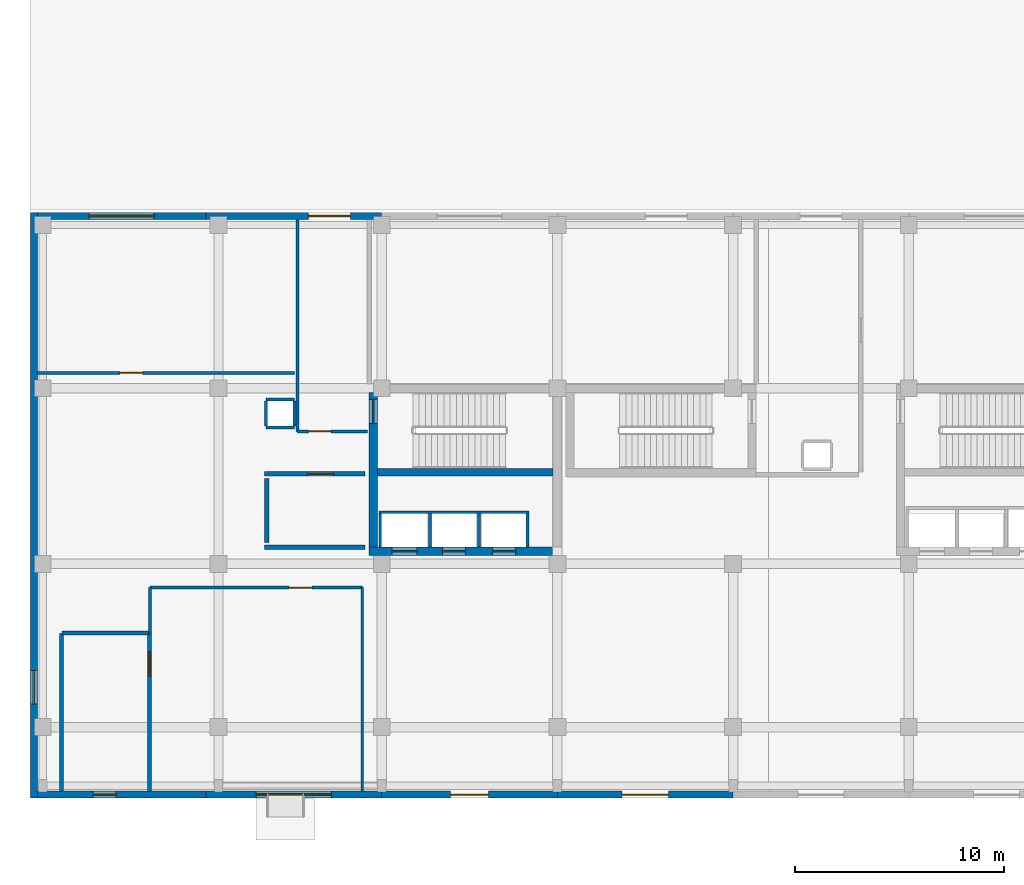
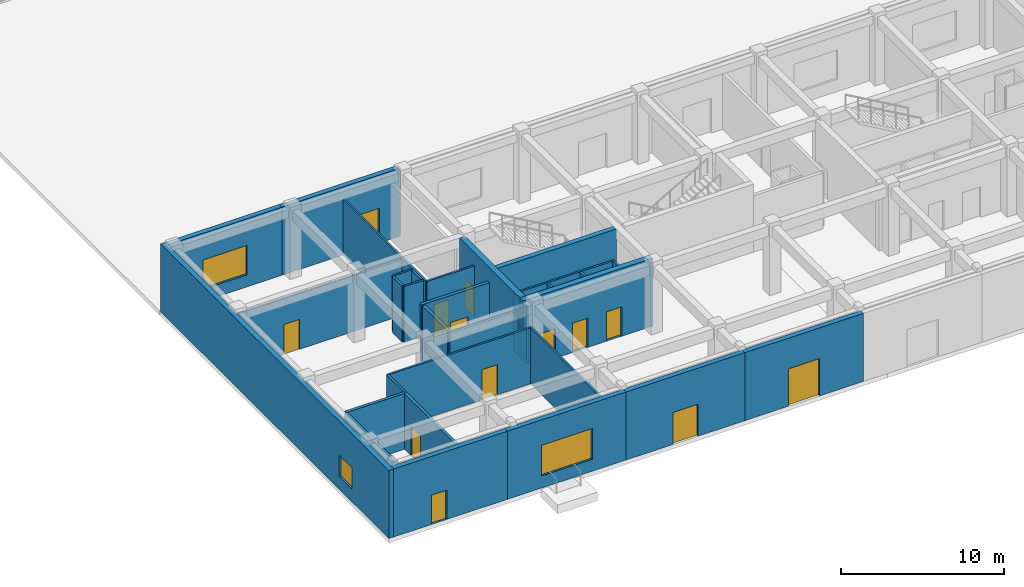
# One storey, part 91 of 122: 31 walls, 13 doors, 3 windows, 16 openings.
"""IFC4 building model written with IfcOpenShell, lengths in metres."""

from ifc_helpers import new_model, si_unit, direction, frame, frame_2d, origin, place, context, subcontext, project, spatial, rectangle, extrude, material, layer, layer_set, type_object, element, fill, save


model = new_model("IFC4")

# Units and contexts
model_context = context("Model", 3, precision=1e-05, world=origin(), true_north=direction((0.0, 1.0)))
body_context = subcontext(model_context, "Body", "Model", "MODEL_VIEW")
ifc_project = project(units=[si_unit("LENGTHUNIT", "METRE"), si_unit("AREAUNIT", "SQUARE_METRE"), si_unit("VOLUMEUNIT", "CUBIC_METRE"), si_unit("PLANEANGLEUNIT", "RADIAN"), si_unit("MASSUNIT", "GRAM", prefix="KILO")], contexts=[model_context])

# Site, building, storey
site_placement = place(None, origin())
site = spatial("IfcSite", under=ifc_project, at=site_placement, CompositionType="ELEMENT")
building_placement = place(site_placement, origin())
building = spatial("IfcBuilding", under=site, at=building_placement, Name="Zayran Congress Hotel", CompositionType="ELEMENT")
storey_placement = place(building_placement, origin())
storey = spatial("IfcBuildingStorey", under=building, at=storey_placement, Name="L00", CompositionType="ELEMENT", Elevation=0.0)

# Wall, opening, door
ifc_material_1 = material(Name="Hajar Ma'ani limestone and insulated concrete C32/40", Category="masonry")
ifc_layer_1 = layer(ifc_material_1, 0.340087890625)
ifc_layer_set_1 = layer_set([ifc_layer_1], Name="Hajar Ma'ani limestone and insulated concrete C32/40")
wall_type_1 = type_object("IfcWallType", Name="WL-EX-340", PredefinedType="SOLIDWALL", material=ifc_layer_set_1)
wall_1_placement = place(storey_placement, frame((16.800048828125, 6.169921875, 0.0), z_axis=(0.0, 0.0, 1.0), x_axis=(-1.0, 0.0, 0.0)))
wall_1 = element("IfcWall", 1, at=wall_1_placement, inside=storey, type_object=wall_type_1, Name="EW-V5-S-L00-0", PredefinedType="SOLIDWALL", context=body_context, shape_type="SweptSolid", body=[
    extrude(rectangle(XDim=8.06005859375, YDim=0.340087890625, at=frame_2d((4.030029296875, 0.0))), origin(), (0.0, 0.0, 1.0), 5.10009765625),
])
opening_1_placement = place(wall_1_placement, frame((4.300048828125, 0.0, 0.0)))
opening_1 = element("IfcOpeningElement", 2, at=opening_1_placement, cuts=wall_1, Name="Opening DEX-06", PredefinedType="OPENING", context=body_context, shape_type="SweptSolid", body=[
    extrude(rectangle(XDim=1.10009765625, YDim=2.199951171875, at=frame_2d((0.550048828125, 1.10009765625))), frame((0.0, 0.179931640625, 0.0), z_axis=(0.0, -1.0, 0.0), x_axis=(1.0, 0.0, 0.0)), (0.0, 0.0, 1.0), 0.360107421875),
])
ifc_material_2 = material(Name="Painted steel fire exit door assembly", Category="steel")
door_type_1 = type_object("IfcDoorType", Name="TP-DEX-06", OperationType="NOTDEFINED", PredefinedType="DOOR", material=ifc_material_2)
door_1_placement = place(opening_1_placement, origin())
door_1 = element("IfcDoor", 3, at=door_1_placement, inside=storey, type_object=door_type_1, Name="Fire Command Centre Exterior Access Door", OperationType="SINGLE_SWING_LEFT", OverallHeight=2.199951171875, OverallWidth=1.10009765625, PredefinedType="DOOR", context=body_context, shape_type="SweptSolid", body=[
    extrude(rectangle(XDim=1.10009765625, YDim=2.199951171875, at=frame_2d((0.550048828125, 1.10009765625))), frame((0.0, 0.02490234375, 0.0), z_axis=(0.0, -1.0, 0.0), x_axis=(1.0, 0.0, 0.0)), (0.0, 0.0, 1.0), 0.050048828125),
])
fill(opening_1, door_1)

# Wall, opening, window
wall_2_placement = place(storey_placement, frame((8.739990234375, 33.830078125, 0.0), z_axis=(0.0, 0.0, 1.0), x_axis=(1.0, 0.0, 0.0)))
wall_2 = element("IfcWall", 4, at=wall_2_placement, inside=storey, type_object=wall_type_1, Name="EW-V5-N-L00-0", PredefinedType="SOLIDWALL", context=body_context, shape_type="SweptSolid", body=[
    extrude(rectangle(XDim=8.06005859375, YDim=0.340087890625, at=frame_2d((4.030029296875, 0.0))), origin(), (0.0, 0.0, 1.0), 5.10009765625),
])
opening_2_placement = place(wall_2_placement, frame((2.47998046875, 0.0, 0.89990234375)))
opening_2 = element("IfcOpeningElement", 5, at=opening_2_placement, cuts=wall_2, Name="Opening WN-20", PredefinedType="OPENING", context=body_context, shape_type="SweptSolid", body=[
    extrude(rectangle(XDim=3.10009765625, YDim=2.199951171875, at=frame_2d((1.550048828125, 1.10009765625))), frame((0.0, 0.179931640625, 0.0), z_axis=(0.0, -1.0, 0.0), x_axis=(1.0, 0.0, 0.0)), (0.0, 0.0, 1.0), 0.360107421875),
])
ifc_material_3 = material(Name="Anodised aluminium and low-E insulated glass", Category="aluminium")
window_type_1 = type_object("IfcWindowType", Name="TP-WN-20", PartitioningType="TRIPLE_PANEL_VERTICAL", PredefinedType="WINDOW", material=ifc_material_3)
window_1_placement = place(opening_2_placement, origin())
window_1 = element("IfcWindow", 6, at=window_1_placement, inside=storey, type_object=window_type_1, Name="WIN-V5-L00N-0", OverallHeight=2.199951171875, OverallWidth=3.10009765625, PartitioningType="SINGLE_PANEL", PredefinedType="WINDOW", context=body_context, shape_type="SweptSolid", body=[
    extrude(rectangle(XDim=3.10009765625, YDim=2.199951171875, at=frame_2d((1.550048828125, 1.10009765625))), frame((0.0, 0.030029296875, 0.0), z_axis=(0.0, -1.0, 0.0), x_axis=(1.0, 0.0, 0.0)), (0.0, 0.0, 1.0), 0.06005859375),
])
fill(opening_2, window_1)

wall_3_placement = place(storey_placement, frame((25.199951171875, 6.169921875, 0.0), z_axis=(0.0, 0.0, 1.0), x_axis=(-1.0, 0.0, 0.0)))
wall_3 = element("IfcWall", 7, at=wall_3_placement, inside=storey, type_object=wall_type_1, Name="EW-V5-S-L00-1", PredefinedType="SOLIDWALL", context=body_context, shape_type="SweptSolid", body=[
    extrude(rectangle(XDim=8.39990234375, YDim=0.340087890625, at=frame_2d((4.199951171875, 0.0))), origin(), (0.0, 0.0, 1.0), 5.10009765625),
])
opening_3_placement = place(wall_3_placement, frame((2.39990234375, 0.0, 0.89990234375)))
opening_3 = element("IfcOpeningElement", 8, at=opening_3_placement, cuts=wall_3, Name="Opening WN-21", PredefinedType="OPENING", context=body_context, shape_type="SweptSolid", body=[
    extrude(rectangle(XDim=3.60009765625, YDim=2.300048828125, at=frame_2d((1.800048828125, 1.14990234375))), frame((0.0, 0.179931640625, 0.0), z_axis=(0.0, -1.0, 0.0), x_axis=(1.0, 0.0, 0.0)), (0.0, 0.0, 1.0), 0.360107421875),
])
window_type_2 = type_object("IfcWindowType", Name="TP-WN-21", PartitioningType="TRIPLE_PANEL_VERTICAL", PredefinedType="WINDOW", material=ifc_material_3)
window_2_placement = place(opening_3_placement, origin())
window_2 = element("IfcWindow", 9, at=window_2_placement, inside=storey, type_object=window_type_2, Name="WIN-V5-L00S-1", OverallHeight=2.300048828125, OverallWidth=3.60009765625, PartitioningType="SINGLE_PANEL", PredefinedType="WINDOW", context=body_context, shape_type="SweptSolid", body=[
    extrude(rectangle(XDim=3.60009765625, YDim=2.300048828125, at=frame_2d((1.800048828125, 1.14990234375))), frame((0.0, 0.030029296875, 0.0), z_axis=(0.0, -1.0, 0.0), x_axis=(1.0, 0.0, 0.0)), (0.0, 0.0, 1.0), 0.06005859375),
])
fill(opening_3, window_2)

# Wall, opening, door
wall_4_placement = place(storey_placement, frame((16.800048828125, 33.830078125, 0.0), z_axis=(0.0, 0.0, 1.0), x_axis=(1.0, 0.0, 0.0)))
wall_4 = element("IfcWall", 10, at=wall_4_placement, inside=storey, type_object=wall_type_1, Name="EW-V5-N-L00-1", PredefinedType="SOLIDWALL", context=body_context, shape_type="SweptSolid", body=[
    extrude(rectangle(XDim=8.39990234375, YDim=0.340087890625, at=frame_2d((4.199951171875, 0.0))), origin(), (0.0, 0.0, 1.0), 5.10009765625),
])
opening_4_placement = place(wall_4_placement, frame((4.89990234375, 0.0, 0.0)))
opening_4 = element("IfcOpeningElement", 11, at=opening_4_placement, cuts=wall_4, Name="Opening DEX-02", PredefinedType="OPENING", context=body_context, shape_type="SweptSolid", body=[
    extrude(rectangle(XDim=2.0, YDim=2.60009765625, at=frame_2d((1.0, 1.300048828125))), frame((0.0, 0.179931640625, 0.0), z_axis=(0.0, -1.0, 0.0), x_axis=(1.0, 0.0, 0.0)), (0.0, 0.0, 1.0), 0.360107421875),
])
ifc_material_4 = material(Name="Anodised aluminium glazed entrance door", Category="aluminium")
door_type_2 = type_object("IfcDoorType", Name="TP-DEX-02", OperationType="DOUBLE_DOOR_SINGLE_SWING", PredefinedType="DOOR", material=ifc_material_4)
door_2_placement = place(opening_4_placement, origin())
door_2 = element("IfcDoor", 12, at=door_2_placement, inside=storey, type_object=door_type_2, Name="Hotel Forecourt Exit Door 34", OperationType="DOUBLE_DOOR_SINGLE_SWING", OverallHeight=2.60009765625, OverallWidth=2.0, PredefinedType="DOOR", context=body_context, shape_type="SweptSolid", body=[
    extrude(rectangle(XDim=2.0, YDim=2.60009765625, at=frame_2d((1.0, 1.300048828125))), frame((0.0, 0.02490234375, 0.0), z_axis=(0.0, -1.0, 0.0), x_axis=(1.0, 0.0, 0.0)), (0.0, 0.0, 1.0), 0.050048828125),
])
fill(opening_4, door_2)

wall_5_placement = place(storey_placement, frame((33.60009765625, 6.169921875, 0.0), z_axis=(0.0, 0.0, 1.0), x_axis=(-1.0, 0.0, 0.0)))
wall_5 = element("IfcWall", 13, at=wall_5_placement, inside=storey, type_object=wall_type_1, Name="EW-V5-S-L00-2", PredefinedType="SOLIDWALL", context=body_context, shape_type="SweptSolid", body=[
    extrude(rectangle(XDim=8.400146484375, YDim=0.340087890625, at=frame_2d((4.2001953125, 0.0))), origin(), (0.0, 0.0, 1.0), 5.10009765625),
])
opening_5_placement = place(wall_5_placement, frame((3.300048828125, 0.0, 0.0)))
opening_5 = element("IfcOpeningElement", 14, at=opening_5_placement, cuts=wall_5, Name="Opening DEX-03", PredefinedType="OPENING", context=body_context, shape_type="SweptSolid", body=[
    extrude(rectangle(XDim=1.800048828125, YDim=2.39990234375, at=frame_2d((0.89990234375, 1.199951171875))), frame((0.0, 0.179931640625, 0.0), z_axis=(0.0, -1.0, 0.0), x_axis=(1.0, 0.0, 0.0)), (0.0, 0.0, 1.0), 0.360107421875),
])
door_type_3 = type_object("IfcDoorType", Name="TP-DEX-03", OperationType="DOUBLE_DOOR_SINGLE_SWING", PredefinedType="DOOR", material=ifc_material_2)
door_3_placement = place(opening_5_placement, origin())
door_3 = element("IfcDoor", 15, at=door_3_placement, inside=storey, type_object=door_type_3, Name="Hotel South Avenue Final Exit Door 35", OperationType="DOUBLE_DOOR_SINGLE_SWING", OverallHeight=2.39990234375, OverallWidth=1.800048828125, PredefinedType="DOOR", context=body_context, shape_type="SweptSolid", body=[
    extrude(rectangle(XDim=1.800048828125, YDim=2.39990234375, at=frame_2d((0.89990234375, 1.199951171875))), frame((0.0, 0.02490234375, 0.0), z_axis=(0.0, -1.0, 0.0), x_axis=(1.0, 0.0, 0.0)), (0.0, 0.0, 1.0), 0.050048828125),
])
fill(opening_5, door_3)

wall_6_placement = place(storey_placement, frame((42.0, 6.169921875, 0.0), z_axis=(0.0, 0.0, 1.0), x_axis=(-1.0, 0.0, 0.0)))
wall_6 = element("IfcWall", 16, at=wall_6_placement, inside=storey, type_object=wall_type_1, Name="EW-V5-S-L00-3", PredefinedType="SOLIDWALL", context=body_context, shape_type="SweptSolid", body=[
    extrude(rectangle(XDim=8.39990234375, YDim=0.340087890625, at=frame_2d((4.199951171875, 0.0))), origin(), (0.0, 0.0, 1.0), 5.10009765625),
])
opening_6_placement = place(wall_6_placement, frame((3.10009765625, 0.0, 0.0)))
opening_6 = element("IfcOpeningElement", 17, at=opening_6_placement, cuts=wall_6, Name="Opening DEX-01", PredefinedType="OPENING", context=body_context, shape_type="SweptSolid", body=[
    extrude(rectangle(XDim=2.199951171875, YDim=2.800048828125, at=frame_2d((1.10009765625, 1.39990234375))), frame((0.0, 0.179931640625, 0.0), z_axis=(0.0, -1.0, 0.0), x_axis=(1.0, 0.0, 0.0)), (0.0, 0.0, 1.0), 0.360107421875),
])
door_type_4 = type_object("IfcDoorType", Name="TP-DEX-01", OperationType="DOUBLE_DOOR_SINGLE_SWING", PredefinedType="DOOR", material=ifc_material_4)
door_4_placement = place(opening_6_placement, origin())
door_4 = element("IfcDoor", 18, at=door_4_placement, inside=storey, type_object=door_type_4, Name="Hotel South Avenue Final Exit Door 36", OperationType="DOUBLE_DOOR_SINGLE_SWING", OverallHeight=2.800048828125, OverallWidth=2.199951171875, PredefinedType="DOOR", context=body_context, shape_type="SweptSolid", body=[
    extrude(rectangle(XDim=2.199951171875, YDim=2.800048828125, at=frame_2d((1.10009765625, 1.39990234375))), frame((0.0, 0.02490234375, 0.0), z_axis=(0.0, -1.0, 0.0), x_axis=(1.0, 0.0, 0.0)), (0.0, 0.0, 1.0), 0.050048828125),
])
fill(opening_6, door_4)

# Wall, opening, window
wall_7_placement = place(storey_placement, frame((8.570068359375, 6.0, 0.0), z_axis=(0.0, 0.0, 1.0), x_axis=(0.0, 1.0, 0.0)))
wall_7 = element("IfcWall", 19, at=wall_7_placement, inside=storey, type_object=wall_type_1, Name="EW-V5-W-L00", PredefinedType="SOLIDWALL", context=body_context, shape_type="SweptSolid", body=[
    extrude(rectangle(XDim=28.0, YDim=0.340087890625, at=frame_2d((14.0, 0.0))), origin(), (0.0, 0.0, 1.0), 5.10009765625),
])
opening_7_placement = place(wall_7_placement, frame((4.5, 0.0, 0.949951171875)))
opening_7 = element("IfcOpeningElement", 20, at=opening_7_placement, cuts=wall_7, Name="Opening WN-15", PredefinedType="OPENING", context=body_context, shape_type="SweptSolid", body=[
    extrude(rectangle(XDim=1.60009765625, YDim=1.60009765625, at=frame_2d((0.800048828125, 0.800048828125))), frame((0.0, 0.179931640625, 0.0), z_axis=(0.0, -1.0, 0.0), x_axis=(1.0, 0.0, 0.0)), (0.0, 0.0, 1.0), 0.360107421875),
])
window_type_3 = type_object("IfcWindowType", Name="TP-WN-15", PartitioningType="SINGLE_PANEL", PredefinedType="WINDOW", material=ifc_material_3)
window_3_placement = place(opening_7_placement, origin())
window_3 = element("IfcWindow", 21, at=window_3_placement, inside=storey, type_object=window_type_3, Name="WIN-V5W-L00", OverallHeight=1.60009765625, OverallWidth=1.60009765625, PartitioningType="SINGLE_PANEL", PredefinedType="WINDOW", context=body_context, shape_type="SweptSolid", body=[
    extrude(rectangle(XDim=1.60009765625, YDim=1.60009765625, at=frame_2d((0.800048828125, 0.800048828125))), frame((0.0, 0.030029296875, 0.0), z_axis=(0.0, -1.0, 0.0), x_axis=(1.0, 0.0, 0.0)), (0.0, 0.0, 1.0), 0.06005859375),
])
fill(opening_7, window_3)

# Wall, openings, doors
ifc_material_5 = material(Name="Concrete C40/50", Category="concrete")
ifc_layer_2 = layer(ifc_material_5, 0.39990234375)
ifc_layer_set_2 = layer_set([ifc_layer_2], Name="Concrete C40/50")
wall_type_2 = type_object("IfcWallType", Name="WL-SH-400", PredefinedType="SHEAR", material=ifc_layer_set_2)
wall_8_placement = place(storey_placement, frame((24.60009765625, 17.800048828125, 0.0), z_axis=(0.0, 0.0, 1.0), x_axis=(1.0, 0.0, 0.0)))
wall_8 = element("IfcWall", 22, at=wall_8_placement, inside=storey, type_object=wall_type_2, Name="CWALL-C-V5W-L00-S", PredefinedType="SHEAR", context=body_context, shape_type="SweptSolid", body=[
    extrude(rectangle(XDim=9.199951171875, YDim=0.39990234375, at=frame_2d((4.60009765625, 0.0))), origin(), (0.0, 0.0, 1.0), 5.080078125),
])
opening_8_placement = place(wall_8_placement, frame((1.10009765625, 0.0, 0.0)))
opening_8 = element("IfcOpeningElement", 23, at=opening_8_placement, cuts=wall_8, Name="Opening LD-FL01", PredefinedType="OPENING", context=body_context, shape_type="SweptSolid", body=[
    extrude(rectangle(XDim=1.199951171875, YDim=2.199951171875, at=frame_2d((0.60009765625, 1.10009765625))), frame((0.0, 0.2099609375, 0.0), z_axis=(0.0, -1.0, 0.0), x_axis=(1.0, 0.0, 0.0)), (0.0, 0.0, 1.0), 0.419921875),
])
opening_9_placement = place(wall_8_placement, frame((3.5, 0.0, 0.0)))
opening_9 = element("IfcOpeningElement", 24, at=opening_9_placement, cuts=wall_8, Name="Opening LD-PL01", PredefinedType="OPENING", context=body_context, shape_type="SweptSolid", body=[
    extrude(rectangle(XDim=1.10009765625, YDim=2.199951171875, at=frame_2d((0.550048828125, 1.10009765625))), frame((0.0, 0.2099609375, 0.0), z_axis=(0.0, -1.0, 0.0), x_axis=(1.0, 0.0, 0.0)), (0.0, 0.0, 1.0), 0.419921875),
])
opening_10_placement = place(wall_8_placement, frame((5.89990234375, 0.0, 0.0)))
opening_10 = element("IfcOpeningElement", 25, at=opening_10_placement, cuts=wall_8, Name="Opening LD-PL02", PredefinedType="OPENING", context=body_context, shape_type="SweptSolid", body=[
    extrude(rectangle(XDim=1.10009765625, YDim=2.199951171875, at=frame_2d((0.550048828125, 1.10009765625))), frame((0.0, 0.2099609375, 0.0), z_axis=(0.0, -1.0, 0.0), x_axis=(1.0, 0.0, 0.0)), (0.0, 0.0, 1.0), 0.419921875),
])
ifc_material_6 = material(Name="Brushed stainless steel sliding lift landing door", Category="steel")
door_type_5 = type_object("IfcDoorType", Name="TP-DR-LD-01", OperationType="DOUBLE_DOOR_SLIDING", PredefinedType="DOOR", material=ifc_material_6)
door_5_placement = place(opening_9_placement, origin())
door_5 = element("IfcDoor", 26, at=door_5_placement, inside=storey, type_object=door_type_5, Name="Lift PL-01 Sliding Landing Door L00", OperationType="DOUBLE_DOOR_SLIDING", OverallHeight=2.199951171875, OverallWidth=1.10009765625, PredefinedType="DOOR", context=body_context, shape_type="SweptSolid", body=[
    extrude(rectangle(XDim=1.10009765625, YDim=2.199951171875, at=frame_2d((0.550048828125, 1.10009765625))), frame((0.0, 0.02490234375, 0.0), z_axis=(0.0, -1.0, 0.0), x_axis=(1.0, 0.0, 0.0)), (0.0, 0.0, 1.0), 0.050048828125),
])
fill(opening_9, door_5)
door_6_placement = place(opening_10_placement, origin())
door_6 = element("IfcDoor", 27, at=door_6_placement, inside=storey, type_object=door_type_5, Name="Lift PL-02 Sliding Landing Door L00", OperationType="DOUBLE_DOOR_SLIDING", OverallHeight=2.199951171875, OverallWidth=1.10009765625, PredefinedType="DOOR", context=body_context, shape_type="SweptSolid", body=[
    extrude(rectangle(XDim=1.10009765625, YDim=2.199951171875, at=frame_2d((0.550048828125, 1.10009765625))), frame((0.0, 0.02490234375, 0.0), z_axis=(0.0, -1.0, 0.0), x_axis=(1.0, 0.0, 0.0)), (0.0, 0.0, 1.0), 0.050048828125),
])
fill(opening_10, door_6)
ifc_material_7 = material(Name="Brushed stainless steel firefighting lift landing door", Category="steel")
door_type_6 = type_object("IfcDoorType", Name="TP-DR-LD-02", OperationType="DOUBLE_DOOR_SLIDING", PredefinedType="DOOR", material=ifc_material_7)
door_7_placement = place(opening_8_placement, origin())
door_7 = element("IfcDoor", 28, at=door_7_placement, inside=storey, type_object=door_type_6, Name="Lift FL-01 Sliding Landing Door L00", OperationType="DOUBLE_DOOR_SLIDING", OverallHeight=2.199951171875, OverallWidth=1.199951171875, PredefinedType="DOOR", context=body_context, shape_type="SweptSolid", body=[
    extrude(rectangle(XDim=1.199951171875, YDim=2.199951171875, at=frame_2d((0.60009765625, 1.10009765625))), frame((0.0, 0.02490234375, 0.0), z_axis=(0.0, -1.0, 0.0), x_axis=(1.0, 0.0, 0.0)), (0.0, 0.0, 1.0), 0.050048828125),
])
fill(opening_8, door_7)

# Wall, opening, door
wall_9_placement = place(storey_placement, frame((24.800048828125, 25.39990234375, 0.0), z_axis=(0.0, 0.0, 1.0), x_axis=(0.0, -1.0, 0.0)))
wall_9 = element("IfcWall", 29, at=wall_9_placement, inside=storey, type_object=wall_type_2, Name="CWALL-C-V5W-L00-W", PredefinedType="SHEAR", context=body_context, shape_type="SweptSolid", body=[
    extrude(rectangle(XDim=7.39990234375, YDim=0.39990234375, at=frame_2d((3.699951171875, 0.0))), origin(), (0.0, 0.0, 1.0), 5.080078125),
])
opening_11_placement = place(wall_9_placement, frame((0.35009765625, 0.0, 0.0)))
opening_11 = element("IfcOpeningElement", 30, at=opening_11_placement, cuts=wall_9, Name="Opening DR-FD-90", PredefinedType="OPENING", context=body_context, shape_type="SweptSolid", body=[
    extrude(rectangle(XDim=1.14990234375, YDim=2.199951171875, at=frame_2d((0.574951171875, 1.10009765625))), frame((0.0, 0.2099609375, 0.0), z_axis=(0.0, -1.0, 0.0), x_axis=(1.0, 0.0, 0.0)), (0.0, 0.0, 1.0), 0.419921875),
])
ifc_material_8 = material(Name="Painted steel fire door assembly", Category="steel")
door_type_7 = type_object("IfcDoorType", Name="TP-DR-FD-90", OperationType="NOTDEFINED", PredefinedType="DOOR", material=ifc_material_8)
door_8_placement = place(opening_11_placement, origin())
door_8 = element("IfcDoor", 31, at=door_8_placement, inside=storey, type_object=door_type_7, Name="ST-01 Exit Stair Door L00", OperationType="SINGLE_SWING_LEFT", OverallHeight=2.199951171875, OverallWidth=1.14990234375, PredefinedType="DOOR", context=body_context, shape_type="SweptSolid", body=[
    extrude(rectangle(XDim=1.14990234375, YDim=2.199951171875, at=frame_2d((0.574951171875, 1.10009765625))), frame((0.0, 0.02490234375, 0.0), z_axis=(0.0, -1.0, 0.0), x_axis=(1.0, 0.0, 0.0)), (0.0, 0.0, 1.0), 0.050048828125),
])
fill(opening_11, door_8)

# Walls
ifc_layer_3 = layer(ifc_material_5, 0.35009765625)
ifc_layer_set_3 = layer_set([ifc_layer_3], Name="Concrete C40/50")
wall_type_3 = type_object("IfcWallType", Name="WL-SH-350", PredefinedType="SHEAR", material=ifc_layer_set_3)
wall_10_placement = place(storey_placement, frame((25.0, 21.5849609375, 0.0), z_axis=(0.0, 0.0, 1.0), x_axis=(1.0, 0.0, 0.0)))
element("IfcWall", 32, at=wall_10_placement, inside=storey, type_object=wall_type_3, Name="CWALL-C-V5W-L00-SPN", PredefinedType="SHEAR", context=body_context, shape_type="SweptSolid", body=[
    extrude(rectangle(XDim=8.39990234375, YDim=0.35009765625, at=frame_2d((4.199951171875, 0.0))), origin(), (0.0, 0.0, 1.0), 5.080078125),
])
ifc_material_9 = material(Name="Concrete C32/40 fire wall", Category="concrete")
ifc_layer_4 = layer(ifc_material_9, 0.219970703125)
ifc_layer_set_4 = layer_set([ifc_layer_4], Name="Concrete C32/40 fire wall")
wall_type_4 = type_object("IfcWallType", Name="WL-FF-220", PredefinedType="SOLIDWALL", material=ifc_layer_set_4)
wall_11_placement = place(storey_placement, frame((19.60009765625, 18.0, 0.0), z_axis=(0.0, 0.0, 1.0), x_axis=(1.0, 0.0, 0.0)))
element("IfcWall", 33, at=wall_11_placement, inside=storey, type_object=wall_type_4, Name="FFWL-C-V5W-L00-S", PredefinedType="SOLIDWALL", context=body_context, shape_type="SweptSolid", body=[
    extrude(rectangle(XDim=4.7998046875, YDim=0.219970703125, at=frame_2d((2.39990234375, 0.0))), origin(), (0.0, 0.0, 1.0), 4.22998046875),
])

# Wall, opening, door
wall_12_placement = place(storey_placement, frame((19.60009765625, 21.5, 0.0), z_axis=(0.0, 0.0, 1.0), x_axis=(1.0, 0.0, 0.0)))
wall_12 = element("IfcWall", 34, at=wall_12_placement, inside=storey, type_object=wall_type_4, Name="FFWL-C-V5W-L00-N", PredefinedType="SOLIDWALL", context=body_context, shape_type="SweptSolid", body=[
    extrude(rectangle(XDim=4.7998046875, YDim=0.219970703125, at=frame_2d((2.39990234375, 0.0))), origin(), (0.0, 0.0, 1.0), 4.22998046875),
])
opening_12_placement = place(wall_12_placement, frame((2.050048828125, 0.0, 0.0)))
opening_12 = element("IfcOpeningElement", 35, at=opening_12_placement, cuts=wall_12, Name="Opening DR-FF-60", PredefinedType="OPENING", context=body_context, shape_type="SweptSolid", body=[
    extrude(rectangle(XDim=1.25, YDim=2.199951171875, at=frame_2d((0.625, 1.10009765625))), frame((0.0, 0.119873046875, 0.0), z_axis=(0.0, -1.0, 0.0), x_axis=(1.0, 0.0, 0.0)), (0.0, 0.0, 1.0), 0.239990234375),
])
ifc_material_10 = material(Name="Painted steel smoke-seal fire door", Category="steel")
door_type_8 = type_object("IfcDoorType", Name="TP-DR-FF-60", OperationType="NOTDEFINED", PredefinedType="DOOR", material=ifc_material_10)
door_9_placement = place(opening_12_placement, origin())
door_9 = element("IfcDoor", 36, at=door_9_placement, inside=storey, type_object=door_type_8, Name="Firefighting Lift Lobby Door C-V5W L00", OperationType="SINGLE_SWING_RIGHT", OverallHeight=2.199951171875, OverallWidth=1.25, PredefinedType="DOOR", context=body_context, shape_type="SweptSolid", body=[
    extrude(rectangle(XDim=1.25, YDim=2.199951171875, at=frame_2d((0.625, 1.10009765625))), frame((0.0, 0.02490234375, 0.0), z_axis=(0.0, -1.0, 0.0), x_axis=(1.0, 0.0, 0.0)), (0.0, 0.0, 1.0), 0.050048828125),
])
fill(opening_12, door_9)

# Wall
wall_13_placement = place(storey_placement, frame((19.7099609375, 18.219970703125, 0.0), z_axis=(0.0, 0.0, 1.0), x_axis=(0.0, 1.0, 0.0)))
element("IfcWall", 37, at=wall_13_placement, inside=storey, type_object=wall_type_4, Name="FFWL-C-V5W-L00-SD", PredefinedType="SOLIDWALL", context=body_context, shape_type="SweptSolid", body=[
    extrude(rectangle(XDim=3.06005859375, YDim=0.219970703125, at=frame_2d((1.530029296875, 0.0))), origin(), (0.0, 0.0, 1.0), 4.22998046875),
])

# Wall, opening, door
ifc_material_11 = material(Name="Concrete C32/40 acoustic masonry", Category="masonry")
ifc_layer_5 = layer(ifc_material_11, 0.199951171875)
ifc_layer_set_5 = layer_set([ifc_layer_5], Name="Concrete C32/40 acoustic masonry")
wall_type_5 = type_object("IfcWallType", Name="WL-SL-200", PredefinedType="SOLIDWALL", material=ifc_layer_set_5)
wall_14_placement = place(storey_placement, frame((14.10009765625, 6.340087890625, 0.0), z_axis=(0.0, 0.0, 1.0), x_axis=(0.0, 1.0, 0.0)))
wall_14 = element("IfcWall", 38, at=wall_14_placement, inside=storey, type_object=wall_type_5, Name="IW-L00-0410", PredefinedType="SOLIDWALL", context=body_context, shape_type="SweptSolid", body=[
    extrude(rectangle(XDim=7.539794921875, YDim=0.199951171875, at=frame_2d((3.77001953125, 0.0))), origin(), (0.0, 0.0, 1.0), 4.179931640625),
])
opening_13_placement = place(wall_14_placement, frame((5.510009765625, 0.0, 0.0)))
opening_13 = element("IfcOpeningElement", 39, at=opening_13_placement, cuts=wall_14, Name="Opening DR-FD-90", PredefinedType="OPENING", context=body_context, shape_type="SweptSolid", body=[
    extrude(rectangle(XDim=1.14990234375, YDim=2.199951171875, at=frame_2d((0.574951171875, 1.10009765625))), frame((0.0, 0.10986328125, 0.0), z_axis=(0.0, -1.0, 0.0), x_axis=(1.0, 0.0, 0.0)), (0.0, 0.0, 1.0), 0.219970703125),
])
door_10_placement = place(opening_13_placement, origin())
door_10 = element("IfcDoor", 40, at=door_10_placement, inside=storey, type_object=door_type_7, Name="Fire Command Centre Door", OperationType="SINGLE_SWING_LEFT", OverallHeight=2.199951171875, OverallWidth=1.14990234375, PredefinedType="DOOR", context=body_context, shape_type="SweptSolid", body=[
    extrude(rectangle(XDim=1.14990234375, YDim=2.199951171875, at=frame_2d((0.574951171875, 1.10009765625))), frame((0.0, 0.02490234375, 0.0), z_axis=(0.0, -1.0, 0.0), x_axis=(1.0, 0.0, 0.0)), (0.0, 0.0, 1.0), 0.050048828125),
])
fill(opening_13, door_10)

# Walls
wall_15_placement = place(storey_placement, frame((9.919921875, 13.89990234375, 0.0), z_axis=(0.0, 0.0, 1.0), x_axis=(1.0, 0.0, 0.0)))
element("IfcWall", 41, at=wall_15_placement, inside=storey, type_object=wall_type_5, Name="IW-L00-1686", PredefinedType="SOLIDWALL", context=body_context, shape_type="SweptSolid", body=[
    extrude(rectangle(XDim=4.16015625, YDim=0.199951171875, at=frame_2d((2.080078125, 0.0))), origin(), (0.0, 0.0, 1.0), 4.179931640625),
])
wall_16_placement = place(storey_placement, frame((9.89990234375, 6.340087890625, 0.0), z_axis=(0.0, 0.0, 1.0), x_axis=(0.0, 1.0, 0.0)))
element("IfcWall", 42, at=wall_16_placement, inside=storey, type_object=wall_type_5, Name="IW-L00-1687", PredefinedType="SOLIDWALL", context=body_context, shape_type="SweptSolid", body=[
    extrude(rectangle(XDim=7.539794921875, YDim=0.199951171875, at=frame_2d((3.77001953125, 0.0))), origin(), (0.0, 0.0, 1.0), 4.179931640625),
])
ifc_material_12 = material(Name="Hospitality guestroom acoustic partition", Category="gypsum")
ifc_layer_6 = layer(ifc_material_12, 0.139892578125)
ifc_layer_set_6 = layer_set([ifc_layer_6], Name="Hospitality guestroom acoustic partition")
wall_type_6 = type_object("IfcWallType", Name="WL-PT-140", PredefinedType="PARTITIONING", material=ifc_layer_set_6)
for number, where, z_axis, x_axis, name in (
    (43, (25.1298828125, 18.0, 0.0), (0.0, 0.0, 1.0), (0.0, 1.0, 0.0), "LSHW-C-V5W-L00-W"),
    (44, (27.5, 18.0, 0.0), (0.0, 0.0, 1.0), (0.0, 1.0, 0.0), "LSHW-C-V5W-L00-DIV1"),
    (45, (29.85009765625, 18.0, 0.0), (0.0, 0.0, 1.0), (0.0, 1.0, 0.0), "LSHW-C-V5W-L00-DIV2"),
    (46, (32.169921875, 18.0, 0.0), (0.0, 0.0, 1.0), (0.0, 1.0, 0.0), "LSHW-C-V5W-L00-E"),
):
    element("IfcWall", number, at=place(storey_placement, frame(where, z_axis=z_axis, x_axis=x_axis)), inside=storey, type_object=wall_type_6, Name=name, PredefinedType="PARTITIONING", context=body_context, shape_type="SweptSolid", body=[
        extrude(rectangle(XDim=1.60009765625, YDim=0.139892578125, at=frame_2d((0.800048828125, 0.0))), origin(), (0.0, 0.0, 1.0), 4.22998046875),
    ])
wall_17_placement = place(storey_placement, frame((25.06005859375, 19.669921875, 0.0), z_axis=(0.0, 0.0, 1.0), x_axis=(1.0, 0.0, 0.0)))
element("IfcWall", 47, at=wall_17_placement, inside=storey, type_object=wall_type_6, Name="LSHW-C-V5W-L00-N", PredefinedType="PARTITIONING", context=body_context, shape_type="SweptSolid", body=[
    extrude(rectangle(XDim=7.179931640625, YDim=0.139892578125, at=frame_2d((3.58984375, 0.0))), origin(), (0.0, 0.0, 1.0), 4.22998046875),
])

# Wall, opening, door
wall_18_placement = place(storey_placement, frame((14.1201171875, 16.070068359375, 0.0), z_axis=(0.0, 0.0, 1.0), x_axis=(1.0, 0.0, 0.0)))
wall_18 = element("IfcWall", 48, at=wall_18_placement, inside=storey, type_object=wall_type_6, Name="IW-L00-0411", PredefinedType="PARTITIONING", context=body_context, shape_type="SweptSolid", body=[
    extrude(rectangle(XDim=10.159912109375, YDim=0.139892578125, at=frame_2d((5.080078125, 0.0))), origin(), (0.0, 0.0, 1.0), 4.179931640625),
])
opening_14_placement = place(wall_18_placement, frame((6.658935546875, 0.0, 0.0)))
opening_14 = element("IfcOpeningElement", 49, at=opening_14_placement, cuts=wall_18, Name="Opening DR-MT-01", PredefinedType="OPENING", context=body_context, shape_type="SweptSolid", body=[
    extrude(rectangle(XDim=1.080078125, YDim=2.25, at=frame_2d((0.5400390625, 1.125))), frame((0.0, 0.079833984375, 0.0), z_axis=(0.0, -1.0, 0.0), x_axis=(1.0, 0.0, 0.0)), (0.0, 0.0, 1.0), 0.159912109375),
])
ifc_material_13 = material(Name="Acoustic timber seminar room door", Category="wood")
door_type_9 = type_object("IfcDoorType", Name="TP-DR-MT-01", OperationType="NOTDEFINED", PredefinedType="DOOR", material=ifc_material_13)
door_11_placement = place(opening_14_placement, origin())
door_11 = element("IfcDoor", 50, at=door_11_placement, inside=storey, type_object=door_type_9, Name="Lobby Lounge and Tea Salon Door", OperationType="SINGLE_SWING_RIGHT", OverallHeight=2.25, OverallWidth=1.080078125, PredefinedType="DOOR", context=body_context, shape_type="SweptSolid", body=[
    extrude(rectangle(XDim=1.080078125, YDim=2.25, at=frame_2d((0.5400390625, 1.125))), frame((0.0, 0.02490234375, 0.0), z_axis=(0.0, -1.0, 0.0), x_axis=(1.0, 0.0, 0.0)), (0.0, 0.0, 1.0), 0.050048828125),
])
fill(opening_14, door_11)

wall_19_placement = place(storey_placement, frame((21.169921875, 23.530029296875, 0.0), z_axis=(0.0, 0.0, 1.0), x_axis=(1.0, 0.0, 0.0)))
wall_19 = element("IfcWall", 51, at=wall_19_placement, inside=storey, type_object=wall_type_6, Name="IW-L00-0412", PredefinedType="PARTITIONING", context=body_context, shape_type="SweptSolid", body=[
    extrude(rectangle(XDim=3.360107421875, YDim=0.139892578125, at=frame_2d((1.68017578125, 0.0))), origin(), (0.0, 0.0, 1.0), 4.179931640625),
])
opening_15_placement = place(wall_19_placement, frame((0.530029296875, 0.0, 0.0)))
opening_15 = element("IfcOpeningElement", 52, at=opening_15_placement, cuts=wall_19, Name="Opening DR-MT-01", PredefinedType="OPENING", context=body_context, shape_type="SweptSolid", body=[
    extrude(rectangle(XDim=1.080078125, YDim=2.25, at=frame_2d((0.5400390625, 1.125))), frame((0.0, 0.079833984375, 0.0), z_axis=(0.0, -1.0, 0.0), x_axis=(1.0, 0.0, 0.0)), (0.0, 0.0, 1.0), 0.159912109375),
])
door_12_placement = place(opening_15_placement, origin())
door_12 = element("IfcDoor", 53, at=door_12_placement, inside=storey, type_object=door_type_9, Name="West Stair Exit Passageway L00 Door", OperationType="SINGLE_SWING_LEFT", OverallHeight=2.25, OverallWidth=1.080078125, PredefinedType="DOOR", context=body_context, shape_type="SweptSolid", body=[
    extrude(rectangle(XDim=1.080078125, YDim=2.25, at=frame_2d((0.5400390625, 1.125))), frame((0.0, 0.02490234375, 0.0), z_axis=(0.0, -1.0, 0.0), x_axis=(1.0, 0.0, 0.0)), (0.0, 0.0, 1.0), 0.050048828125),
])
fill(opening_15, door_12)

wall_20_placement = place(storey_placement, frame((8.739990234375, 26.330078125, 0.0), z_axis=(0.0, 0.0, 1.0), x_axis=(1.0, 0.0, 0.0)))
wall_20 = element("IfcWall", 54, at=wall_20_placement, inside=storey, type_object=wall_type_6, Name="IW-L00-0415", PredefinedType="PARTITIONING", context=body_context, shape_type="SweptSolid", body=[
    extrude(rectangle(XDim=12.2900390625, YDim=0.139892578125, at=frame_2d((6.14501953125, 0.0))), origin(), (0.0, 0.0, 1.0), 4.179931640625),
])
opening_16_placement = place(wall_20_placement, frame((3.947021484375, 0.0, 0.0)))
opening_16 = element("IfcOpeningElement", 55, at=opening_16_placement, cuts=wall_20, Name="Opening DR-MT-01", PredefinedType="OPENING", context=body_context, shape_type="SweptSolid", body=[
    extrude(rectangle(XDim=1.080078125, YDim=2.25, at=frame_2d((0.5400390625, 1.125))), frame((0.0, 0.079833984375, 0.0), z_axis=(0.0, -1.0, 0.0), x_axis=(1.0, 0.0, 0.0)), (0.0, 0.0, 1.0), 0.159912109375),
])
door_13_placement = place(opening_16_placement, origin())
door_13 = element("IfcDoor", 56, at=door_13_placement, inside=storey, type_object=door_type_9, Name="Hotel Administration and Back Office Door", OperationType="SINGLE_SWING_RIGHT", OverallHeight=2.25, OverallWidth=1.080078125, PredefinedType="DOOR", context=body_context, shape_type="SweptSolid", body=[
    extrude(rectangle(XDim=1.080078125, YDim=2.25, at=frame_2d((0.5400390625, 1.125))), frame((0.0, 0.02490234375, 0.0), z_axis=(0.0, -1.0, 0.0), x_axis=(1.0, 0.0, 0.0)), (0.0, 0.0, 1.0), 0.050048828125),
])
fill(opening_16, door_13)

# Walls
wall_21_placement = place(storey_placement, frame((14.1298828125, 13.8798828125, 0.0), z_axis=(0.0, 0.0, 1.0), x_axis=(0.0, 1.0, 0.0)))
element("IfcWall", 57, at=wall_21_placement, inside=storey, type_object=wall_type_6, Name="IW-L00-1688", PredefinedType="PARTITIONING", context=body_context, shape_type="SweptSolid", body=[
    extrude(rectangle(XDim=2.2001953125, YDim=0.139892578125, at=frame_2d((1.10009765625, 0.0))), origin(), (0.0, 0.0, 1.0), 4.179931640625),
])
wall_22_placement = place(storey_placement, frame((24.27001953125, 6.340087890625, 0.0), z_axis=(0.0, 0.0, 1.0), x_axis=(0.0, 1.0, 0.0)))
element("IfcWall", 58, at=wall_22_placement, inside=storey, type_object=wall_type_6, Name="IW-L00-1689", PredefinedType="PARTITIONING", context=body_context, shape_type="SweptSolid", body=[
    extrude(rectangle(XDim=9.739990234375, YDim=0.139892578125, at=frame_2d((4.8701171875, 0.0))), origin(), (0.0, 0.0, 1.0), 4.179931640625),
])
wall_23_placement = place(storey_placement, frame((21.179931640625, 23.52001953125, 0.0), z_axis=(0.0, 0.0, 1.0), x_axis=(0.0, 1.0, 0.0)))
element("IfcWall", 59, at=wall_23_placement, inside=storey, type_object=wall_type_6, Name="IW-L00-1690", PredefinedType="PARTITIONING", context=body_context, shape_type="SweptSolid", body=[
    extrude(rectangle(XDim=10.139892578125, YDim=0.139892578125, at=frame_2d((5.06982421875, 0.0))), origin(), (0.0, 0.0, 1.0), 4.179931640625),
])
for number, where, z_axis, x_axis, name in (
    (60, (19.669921875, 23.72998046875, 0.0), (0.0, 0.0, 1.0), (1.0, 0.0, 0.0), "RSWL-V5-L00-023-S"),
    (61, (21.030029296875, 25.050048828125, 0.0), (0.0, 0.0, 1.0), (-1.0, 0.0, 0.0), "RSWL-V5-L00-023-N"),
):
    element("IfcWall", number, at=place(storey_placement, frame(where, z_axis=z_axis, x_axis=x_axis)), inside=storey, type_object=wall_type_6, Name=name, PredefinedType="PARTITIONING", context=body_context, shape_type="SweptSolid", body=[
        extrude(rectangle(XDim=1.360107421875, YDim=0.139892578125, at=frame_2d((0.68017578125, 0.0))), origin(), (0.0, 0.0, 1.0), 4.199951171875),
    ])
for number, where, z_axis, x_axis, name in (
    (62, (19.669921875, 24.97998046875, 0.0), (0.0, 0.0, 1.0), (0.0, -1.0, 0.0), "RSWL-V5-L00-023-W"),
    (63, (21.030029296875, 23.800048828125, 0.0), (0.0, 0.0, 1.0), (0.0, 1.0, 0.0), "RSWL-V5-L00-023-E"),
):
    element("IfcWall", number, at=place(storey_placement, frame(where, z_axis=z_axis, x_axis=x_axis)), inside=storey, type_object=wall_type_6, Name=name, PredefinedType="PARTITIONING", context=body_context, shape_type="SweptSolid", body=[
        extrude(rectangle(XDim=1.179931640625, YDim=0.139892578125, at=frame_2d((0.58984375, 0.0))), origin(), (0.0, 0.0, 1.0), 4.199951171875),
    ])

save(model, "model.ifc")
